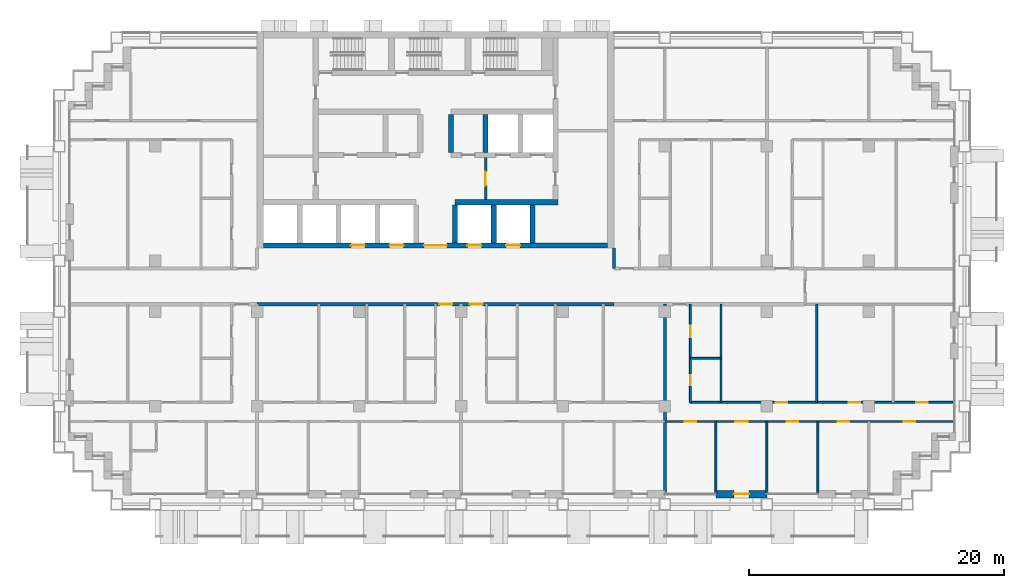
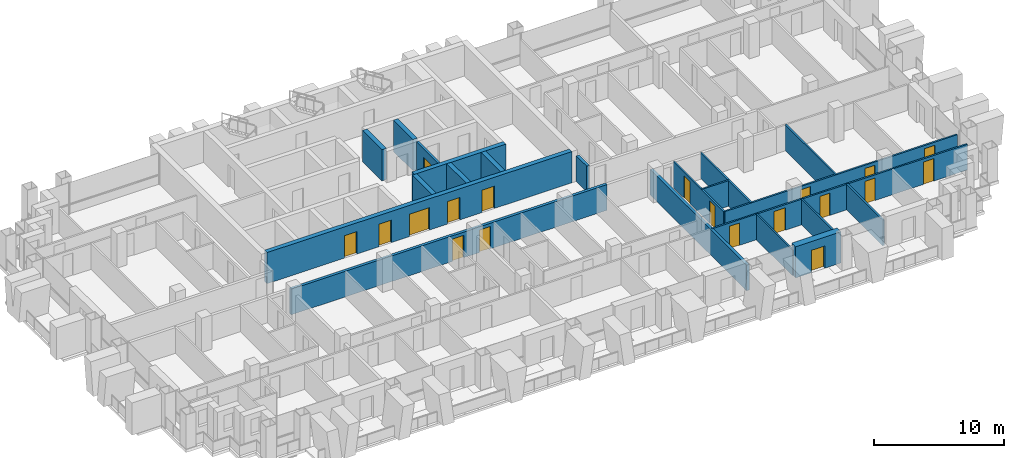
# One storey, part 11 of 18: 21 walls, 19 doors, 19 openings.
"""IFC4 building model written with IfcOpenShell, lengths in metres."""

from ifc_helpers import new_model, si_unit, direction, frame, frame_2d, origin, place, context, subcontext, project, spatial, rectangle, extrude, material, layer, layer_set, type_object, element, fill, save


model = new_model("IFC4")

# Units and contexts
model_context = context("Model", 3, precision=1e-05, world=origin(), true_north=direction((0.0, 1.0)))
body_context = subcontext(model_context, "Body", "Model", "MODEL_VIEW")
ifc_project = project(units=[si_unit("LENGTHUNIT", "METRE"), si_unit("AREAUNIT", "SQUARE_METRE"), si_unit("VOLUMEUNIT", "CUBIC_METRE"), si_unit("PLANEANGLEUNIT", "RADIAN"), si_unit("MASSUNIT", "GRAM", prefix="KILO")], contexts=[model_context])

# Site, building, storey
site_placement = place(None, origin())
site = spatial("IfcSite", under=ifc_project, at=site_placement, CompositionType="ELEMENT")
building_placement = place(site_placement, origin())
building = spatial("IfcBuilding", under=site, at=building_placement, Name="Vidyagriha Tower", CompositionType="ELEMENT")
storey_placement = place(building_placement, frame((0.0, 0.0, 93.5)))
storey = spatial("IfcBuildingStorey", under=building, at=storey_placement, Name="L24", CompositionType="ELEMENT", Elevation=93.5)

# Wall, opening, door
ifc_material_1 = material(Name="Precast concrete C40/50 with brick facing", Category="concrete")
ifc_layer_1 = layer(ifc_material_1, 0.60009765625)
ifc_layer_set_1 = layer_set([ifc_layer_1], Name="Precast concrete C40/50 with brick facing")
wall_type_1 = type_object("IfcWallType", Name="Brick-faced precast wall 600", PredefinedType="STANDARD", material=ifc_layer_set_1)
wall_1_placement = place(storey_placement, frame((22.0, -16.300048828125, 0.0)))
wall_1 = element("IfcWall", 1, at=wall_1_placement, inside=storey, type_object=wall_type_1, Name="Brick door bay wall L24 R23.13", PredefinedType="STANDARD", context=body_context, shape_type="SweptSolid", body=[
    extrude(rectangle(XDim=4.0, YDim=0.60009765625, at=frame_2d((2.0, 0.0))), origin(), (0.0, 0.0, 1.0), 2.919921875),
])
opening_1_placement = place(wall_1_placement, frame((1.39990234375, 0.0, 0.0)))
opening_1 = element("IfcOpeningElement", 2, at=opening_1_placement, cuts=wall_1, Name="Opening D24-80", PredefinedType="OPENING", context=body_context, shape_type="SweptSolid", body=[
    extrude(rectangle(XDim=1.199951171875, YDim=2.10009765625, at=frame_2d((0.60009765625, 1.050048828125))), frame((0.0, 0.31005859375, 0.0), z_axis=(0.0, -1.0, 0.0), x_axis=(1.0, 0.0, 0.0)), (0.0, 0.0, 1.0), 0.6201171875),
])
ifc_material_2 = material(Name="Aluminium framed glazed sliding door", Category="aluminium")
door_type_1 = type_object("IfcDoorType", Name="Balcony sliding door 1200x2100", OperationType="NOTDEFINED", PredefinedType="DOOR", material=ifc_material_2)
door_1_placement = place(opening_1_placement, origin())
door_1 = element("IfcDoor", 3, at=door_1_placement, inside=storey, type_object=door_type_1, Name="Door D24-80", OperationType="SLIDING_TO_LEFT", OverallHeight=2.10009765625, OverallWidth=1.199951171875, PredefinedType="DOOR", context=body_context, shape_type="SweptSolid", body=[
    extrude(rectangle(XDim=1.199951171875, YDim=2.10009765625, at=frame_2d((0.60009765625, 1.050048828125))), frame((0.0, 0.02490234375, 0.0), z_axis=(0.0, -1.0, 0.0), x_axis=(1.0, 0.0, 0.0)), (0.0, 0.0, 1.0), 0.050048828125),
])
fill(opening_1, door_1)

# Wall, openings, doors
ifc_material_3 = material(Name="Concrete C60/75", Category="concrete")
ifc_layer_2 = layer(ifc_material_3, 0.39990234375)
ifc_layer_set_2 = layer_set([ifc_layer_2], Name="Concrete C60/75")
wall_type_2 = type_object("IfcWallType", Name="Core shear wall 400 mm", PredefinedType="SHEAR", material=ifc_layer_set_2)
wall_2_placement = place(storey_placement, frame((-13.5, 3.199951171875, 0.0)))
wall_2 = element("IfcWall", 4, at=wall_2_placement, inside=storey, type_object=wall_type_2, Name="Core front wall", PredefinedType="SHEAR", context=body_context, shape_type="SweptSolid", body=[
    extrude(rectangle(XDim=27.0, YDim=0.39990234375, at=frame_2d((13.5, 0.0))), origin(), (0.0, 0.0, 1.0), 2.919921875),
])
opening_2_placement = place(wall_2_placement, frame((6.861083984375, 0.0, 0.0)))
opening_2 = element("IfcOpeningElement", 5, at=opening_2_placement, cuts=wall_2, Name="Opening LD24-01", PredefinedType="OPENING", context=body_context, shape_type="SweptSolid", body=[
    extrude(rectangle(XDim=1.10009765625, YDim=2.10009765625, at=frame_2d((0.550048828125, 1.050048828125))), frame((0.0, 0.2099609375, 0.0), z_axis=(0.0, -1.0, 0.0), x_axis=(1.0, 0.0, 0.0)), (0.0, 0.0, 1.0), 0.419921875),
])
opening_3_placement = place(wall_2_placement, frame((9.905517578125, 0.0, 0.0)))
opening_3 = element("IfcOpeningElement", 6, at=opening_3_placement, cuts=wall_2, Name="Opening LD24-02", PredefinedType="OPENING", context=body_context, shape_type="SweptSolid", body=[
    extrude(rectangle(XDim=1.10009765625, YDim=2.10009765625, at=frame_2d((0.550048828125, 1.050048828125))), frame((0.0, 0.2099609375, 0.0), z_axis=(0.0, -1.0, 0.0), x_axis=(1.0, 0.0, 0.0)), (0.0, 0.0, 1.0), 0.419921875),
])
opening_4_placement = place(wall_2_placement, frame((15.994384765625, 0.0, 0.0)))
opening_4 = element("IfcOpeningElement", 7, at=opening_4_placement, cuts=wall_2, Name="Opening LD24-03", PredefinedType="OPENING", context=body_context, shape_type="SweptSolid", body=[
    extrude(rectangle(XDim=1.10009765625, YDim=2.10009765625, at=frame_2d((0.550048828125, 1.050048828125))), frame((0.0, 0.2099609375, 0.0), z_axis=(0.0, -1.0, 0.0), x_axis=(1.0, 0.0, 0.0)), (0.0, 0.0, 1.0), 0.419921875),
])
opening_5_placement = place(wall_2_placement, frame((19.038818359375, 0.0, 0.0)))
opening_5 = element("IfcOpeningElement", 8, at=opening_5_placement, cuts=wall_2, Name="Opening LD24-04", PredefinedType="OPENING", context=body_context, shape_type="SweptSolid", body=[
    extrude(rectangle(XDim=1.10009765625, YDim=2.10009765625, at=frame_2d((0.550048828125, 1.050048828125))), frame((0.0, 0.2099609375, 0.0), z_axis=(0.0, -1.0, 0.0), x_axis=(1.0, 0.0, 0.0)), (0.0, 0.0, 1.0), 0.419921875),
])
opening_6_placement = place(wall_2_placement, frame((12.60009765625, 0.0, 0.0)))
opening_6 = element("IfcOpeningElement", 9, at=opening_6_placement, cuts=wall_2, Name="Opening D24-01", PredefinedType="OPENING", context=body_context, shape_type="SweptSolid", body=[
    extrude(rectangle(XDim=1.800048828125, YDim=2.10009765625, at=frame_2d((0.89990234375, 1.050048828125))), frame((0.0, 0.2099609375, 0.0), z_axis=(0.0, -1.0, 0.0), x_axis=(1.0, 0.0, 0.0)), (0.0, 0.0, 1.0), 0.419921875),
])
ifc_material_4 = material(Name="Hollow metal door leaf")
door_type_2 = type_object("IfcDoorType", Name="Core lobby double door 1800 x 2100 mm EI 60", OperationType="NOTDEFINED", PredefinedType="DOOR", material=ifc_material_4)
door_2_placement = place(opening_6_placement, frame((1.800048828125, 0.0, 0.0), z_axis=(0.0, 0.0, 1.0), x_axis=(-1.0, 0.0, 0.0)))
door_2 = element("IfcDoor", 10, at=door_2_placement, inside=storey, type_object=door_type_2, Name="Core entrance door L24", OperationType="DOUBLE_DOOR_SINGLE_SWING", OverallHeight=2.10009765625, OverallWidth=1.800048828125, PredefinedType="DOOR", context=body_context, shape_type="SweptSolid", body=[
    extrude(rectangle(XDim=1.800048828125, YDim=2.10009765625, at=frame_2d((0.89990234375, 1.050048828125))), frame((0.0, 0.02490234375, 0.0), z_axis=(0.0, -1.0, 0.0), x_axis=(1.0, 0.0, 0.0)), (0.0, 0.0, 1.0), 0.050048828125),
])
fill(opening_6, door_2)
ifc_material_5 = material(Name="Stainless steel sliding door panel", Category="steel")
door_type_3 = type_object("IfcDoorType", Name="Lift landing door 1100 x 2100 mm EI 90", OperationType="NOTDEFINED", PredefinedType="DOOR", material=ifc_material_5)
door_3_placement = place(opening_2_placement, origin())
door_3 = element("IfcDoor", 11, at=door_3_placement, inside=storey, type_object=door_type_3, Name="Landing door LR1 L24", OperationType="SLIDING_TO_LEFT", OverallHeight=2.10009765625, OverallWidth=1.10009765625, PredefinedType="DOOR", context=body_context, shape_type="SweptSolid", body=[
    extrude(rectangle(XDim=1.10009765625, YDim=2.10009765625, at=frame_2d((0.550048828125, 1.050048828125))), frame((0.0, 0.02490234375, 0.0), z_axis=(0.0, -1.0, 0.0), x_axis=(1.0, 0.0, 0.0)), (0.0, 0.0, 1.0), 0.050048828125),
])
fill(opening_2, door_3)
door_4_placement = place(opening_3_placement, origin())
door_4 = element("IfcDoor", 12, at=door_4_placement, inside=storey, type_object=door_type_3, Name="Landing door LR2 L24", OperationType="SLIDING_TO_LEFT", OverallHeight=2.10009765625, OverallWidth=1.10009765625, PredefinedType="DOOR", context=body_context, shape_type="SweptSolid", body=[
    extrude(rectangle(XDim=1.10009765625, YDim=2.10009765625, at=frame_2d((0.550048828125, 1.050048828125))), frame((0.0, 0.02490234375, 0.0), z_axis=(0.0, -1.0, 0.0), x_axis=(1.0, 0.0, 0.0)), (0.0, 0.0, 1.0), 0.050048828125),
])
fill(opening_3, door_4)
door_5_placement = place(opening_4_placement, origin())
door_5 = element("IfcDoor", 13, at=door_5_placement, inside=storey, type_object=door_type_3, Name="Landing door LR3 L24", OperationType="SLIDING_TO_LEFT", OverallHeight=2.10009765625, OverallWidth=1.10009765625, PredefinedType="DOOR", context=body_context, shape_type="SweptSolid", body=[
    extrude(rectangle(XDim=1.10009765625, YDim=2.10009765625, at=frame_2d((0.550048828125, 1.050048828125))), frame((0.0, 0.02490234375, 0.0), z_axis=(0.0, -1.0, 0.0), x_axis=(1.0, 0.0, 0.0)), (0.0, 0.0, 1.0), 0.050048828125),
])
fill(opening_4, door_5)
door_6_placement = place(opening_5_placement, origin())
door_6 = element("IfcDoor", 14, at=door_6_placement, inside=storey, type_object=door_type_3, Name="Landing door LR4 L24", OperationType="SLIDING_TO_LEFT", OverallHeight=2.10009765625, OverallWidth=1.10009765625, PredefinedType="DOOR", context=body_context, shape_type="SweptSolid", body=[
    extrude(rectangle(XDim=1.10009765625, YDim=2.10009765625, at=frame_2d((0.550048828125, 1.050048828125))), frame((0.0, 0.02490234375, 0.0), z_axis=(0.0, -1.0, 0.0), x_axis=(1.0, 0.0, 0.0)), (0.0, 0.0, 1.0), 0.050048828125),
])
fill(opening_5, door_6)

# Walls
wall_3_placement = place(storey_placement, frame((1.522216796875, 6.60009765625, 0.0)))
element("IfcWall", 15, at=wall_3_placement, inside=storey, type_object=wall_type_2, Name="Core lobby south wall east", PredefinedType="SHEAR", context=body_context, shape_type="SweptSolid", body=[
    extrude(rectangle(XDim=8.077880859375, YDim=0.39990234375, at=frame_2d((4.0390625, 0.0))), origin(), (0.0, 0.0, 1.0), 2.919921875),
])
for number, where, z_axis, x_axis, name in (
    (16, (1.522216796875, 3.39990234375, 0.0), (0.0, 0.0, 1.0), (0.0, 1.0, 0.0), "Core bay wall S5"),
    (17, (4.566650390625, 3.39990234375, 0.0), (0.0, 0.0, 1.0), (0.0, 1.0, 0.0), "Core bay wall S6"),
    (18, (7.611083984375, 3.39990234375, 0.0), (0.0, 0.0, 1.0), (0.0, 1.0, 0.0), "Core bay wall S7"),
    (19, (1.199951171875, 10.5, 0.0), (0.0, 0.0, 1.0), (0.0, 1.0, 0.0), "Core bay wall N4"),
    (20, (3.933349609375, 10.5, 0.0), (0.0, 0.0, 1.0), (0.0, 1.0, 0.0), "Core bay wall N5"),
):
    element("IfcWall", number, at=place(storey_placement, frame(where, z_axis=z_axis, x_axis=x_axis)), inside=storey, type_object=wall_type_2, Name=name, PredefinedType="SHEAR", context=body_context, shape_type="SweptSolid", body=[
        extrude(rectangle(XDim=3.0, YDim=0.39990234375, at=frame_2d((1.5, 0.0))), origin(), (0.0, 0.0, 1.0), 2.919921875),
    ])

# Wall, openings, doors
ifc_material_6 = material(Name="Fired clay brick masonry", Category="masonry")
ifc_layer_3 = layer(ifc_material_6, 0.25)
ifc_layer_set_3 = layer_set([ifc_layer_3], Name="Fired clay brick masonry")
wall_type_3 = type_object("IfcWallType", Name="Fired clay brick corridor wall 250", PredefinedType="PARTITIONING", material=ifc_layer_set_3)
wall_4_placement = place(storey_placement, frame((14.0, -1.39990234375, 0.0), z_axis=(0.0, 0.0, 1.0), x_axis=(-1.0, 0.0, 0.0)))
wall_4 = element("IfcWall", 21, at=wall_4_placement, inside=storey, type_object=wall_type_3, Name="Wall all-L24-w132", PredefinedType="PARTITIONING", context=body_context, shape_type="SweptSolid", body=[
    extrude(rectangle(XDim=28.0, YDim=0.25, at=frame_2d((14.0, 0.0))), origin(), (0.0, 0.0, 1.0), 2.39990234375),
])
opening_7_placement = place(wall_4_placement, frame((12.68896484375, 0.0, 0.0)))
opening_7 = element("IfcOpeningElement", 22, at=opening_7_placement, cuts=wall_4, Name="Opening D24-30", PredefinedType="OPENING", context=body_context, shape_type="SweptSolid", body=[
    extrude(rectangle(XDim=1.0, YDim=2.10009765625, at=frame_2d((0.5, 1.050048828125))), frame((0.0, 0.135009765625, 0.0), z_axis=(0.0, -1.0, 0.0), x_axis=(1.0, 0.0, 0.0)), (0.0, 0.0, 1.0), 0.27001953125),
])
opening_8_placement = place(wall_4_placement, frame((10.31103515625, 0.0, 0.0)))
opening_8 = element("IfcOpeningElement", 23, at=opening_8_placement, cuts=wall_4, Name="Opening D24-39", PredefinedType="OPENING", context=body_context, shape_type="SweptSolid", body=[
    extrude(rectangle(XDim=1.0, YDim=2.10009765625, at=frame_2d((0.5, 1.050048828125))), frame((0.0, 0.135009765625, 0.0), z_axis=(0.0, -1.0, 0.0), x_axis=(1.0, 0.0, 0.0)), (0.0, 0.0, 1.0), 0.27001953125),
])
ifc_material_7 = material(Name="Fire-rated timber door leaf EI 60", Category="wood")
door_type_4 = type_object("IfcDoorType", Name="Flat entrance fire door 1000x2100", OperationType="NOTDEFINED", PredefinedType="DOOR", material=ifc_material_7)
door_7_placement = place(opening_7_placement, origin())
door_7 = element("IfcDoor", 24, at=door_7_placement, inside=storey, type_object=door_type_4, Name="Door D24-30", OperationType="SINGLE_SWING_LEFT", OverallHeight=2.10009765625, OverallWidth=1.0, PredefinedType="DOOR", context=body_context, shape_type="SweptSolid", body=[
    extrude(rectangle(XDim=1.0, YDim=2.10009765625, at=frame_2d((0.5, 1.050048828125))), frame((0.0, 0.02490234375, 0.0), z_axis=(0.0, -1.0, 0.0), x_axis=(1.0, 0.0, 0.0)), (0.0, 0.0, 1.0), 0.050048828125),
])
fill(opening_7, door_7)
door_8_placement = place(opening_8_placement, origin())
door_8 = element("IfcDoor", 25, at=door_8_placement, inside=storey, type_object=door_type_4, Name="Door D24-39", OperationType="SINGLE_SWING_RIGHT", OverallHeight=2.10009765625, OverallWidth=1.0, PredefinedType="DOOR", context=body_context, shape_type="SweptSolid", body=[
    extrude(rectangle(XDim=1.0, YDim=2.10009765625, at=frame_2d((0.5, 1.050048828125))), frame((0.0, 0.02490234375, 0.0), z_axis=(0.0, -1.0, 0.0), x_axis=(1.0, 0.0, 0.0)), (0.0, 0.0, 1.0), 0.050048828125),
])
fill(opening_8, door_8)

# Walls
wall_5_placement = place(storey_placement, frame((14.0, 1.39990234375, 0.0), z_axis=(0.0, 0.0, 1.0), x_axis=(0.0, 1.0, 0.0)))
element("IfcWall", 26, at=wall_5_placement, inside=storey, type_object=wall_type_3, Name="Wall all-L24-w134", PredefinedType="PARTITIONING", context=body_context, shape_type="SweptSolid", body=[
    extrude(rectangle(XDim=1.60009765625, YDim=0.25, at=frame_2d((0.800048828125, 0.0))), origin(), (0.0, 0.0, 1.0), 2.39990234375),
])
ifc_material_8 = material(Name="Fired clay brick masonry", Category="masonry")
ifc_layer_4 = layer(ifc_material_8, 0.25)
ifc_layer_set_4 = layer_set([ifc_layer_4], Name="Fired clay brick masonry")
wall_type_4 = type_object("IfcWallType", Name="Fired clay brick demising wall 250", PredefinedType="PARTITIONING", material=ifc_layer_set_4)
wall_6_placement = place(storey_placement, frame((18.0, -1.39990234375, 0.0), z_axis=(0.0, 0.0, 1.0), x_axis=(0.0, -1.0, 0.0)))
element("IfcWall", 27, at=wall_6_placement, inside=storey, type_object=wall_type_4, Name="Wall all-L24-w080", PredefinedType="PARTITIONING", context=body_context, shape_type="SweptSolid", body=[
    extrude(rectangle(XDim=14.81005859375, YDim=0.25, at=frame_2d((7.405029296875, 0.0))), origin(), (0.0, 0.0, 1.0), 2.39990234375),
])
ifc_material_9 = material(Name="Gypsum board partition")
ifc_layer_5 = layer(ifc_material_9, 0.14990234375)
ifc_layer_set_5 = layer_set([ifc_layer_5], Name="Gypsum board partition")
wall_type_5 = type_object("IfcWallType", Name="Gypsum board partition 150", PredefinedType="PARTITIONING", material=ifc_layer_set_5)
wall_7_placement = place(storey_placement, frame((22.39990234375, -5.64990234375, 0.0), z_axis=(0.0, 0.0, 1.0), x_axis=(-1.0, 0.0, 0.0)))
element("IfcWall", 28, at=wall_7_placement, inside=storey, type_object=wall_type_5, Name="Wall all-L24-w061", PredefinedType="PARTITIONING", context=body_context, shape_type="SweptSolid", body=[
    extrude(rectangle(XDim=2.39990234375, YDim=0.14990234375, at=frame_2d((1.199951171875, 0.0))), origin(), (0.0, 0.0, 1.0), 2.39990234375),
])
for number, where, z_axis, x_axis, name in (
    (29, (22.39990234375, -1.39990234375, 0.0), (0.0, 0.0, 1.0), (0.0, -1.0, 0.0), "Wall all-L24-w062"),
    (30, (29.89990234375, -1.39990234375, 0.0), (0.0, 0.0, 1.0), (0.0, -1.0, 0.0), "Wall all-L24-w063"),
):
    element("IfcWall", number, at=place(storey_placement, frame(where, z_axis=z_axis, x_axis=x_axis)), inside=storey, type_object=wall_type_5, Name=name, PredefinedType="PARTITIONING", context=body_context, shape_type="SweptSolid", body=[
        extrude(rectangle(XDim=7.7001953125, YDim=0.14990234375, at=frame_2d((3.85009765625, 0.0))), origin(), (0.0, 0.0, 1.0), 2.39990234375),
    ])

# Wall, openings, doors
wall_8_placement = place(storey_placement, frame((20.0, -9.10009765625, 0.0)))
wall_8 = element("IfcWall", 31, at=wall_8_placement, inside=storey, type_object=wall_type_5, Name="Wall all-L24-w065", PredefinedType="PARTITIONING", context=body_context, shape_type="SweptSolid", body=[
    extrude(rectangle(XDim=20.6201171875, YDim=0.14990234375, at=frame_2d((10.31005859375, 0.0))), origin(), (0.0, 0.0, 1.0), 2.39990234375),
])
opening_9_placement = place(wall_8_placement, frame((6.68896484375, 0.0, 0.0)))
opening_9 = element("IfcOpeningElement", 32, at=opening_9_placement, cuts=wall_8, Name="Opening D24-42", PredefinedType="OPENING", context=body_context, shape_type="SweptSolid", body=[
    extrude(rectangle(XDim=0.89990234375, YDim=2.10009765625, at=frame_2d((0.449951171875, 1.050048828125))), frame((0.0, 0.0849609375, 0.0), z_axis=(0.0, -1.0, 0.0), x_axis=(1.0, 0.0, 0.0)), (0.0, 0.0, 1.0), 0.169921875),
])
opening_10_placement = place(wall_8_placement, frame((12.410888671875, 0.0, 0.0)))
opening_10 = element("IfcOpeningElement", 33, at=opening_10_placement, cuts=wall_8, Name="Opening D24-43", PredefinedType="OPENING", context=body_context, shape_type="SweptSolid", body=[
    extrude(rectangle(XDim=0.89990234375, YDim=2.10009765625, at=frame_2d((0.449951171875, 1.050048828125))), frame((0.0, 0.0849609375, 0.0), z_axis=(0.0, -1.0, 0.0), x_axis=(1.0, 0.0, 0.0)), (0.0, 0.0, 1.0), 0.169921875),
])
opening_11_placement = place(wall_8_placement, frame((17.699951171875, 0.0, 0.0)))
opening_11 = element("IfcOpeningElement", 34, at=opening_11_placement, cuts=wall_8, Name="Opening D24-44", PredefinedType="OPENING", context=body_context, shape_type="SweptSolid", body=[
    extrude(rectangle(XDim=0.89990234375, YDim=2.10009765625, at=frame_2d((0.449951171875, 1.050048828125))), frame((0.0, 0.0849609375, 0.0), z_axis=(0.0, -1.0, 0.0), x_axis=(1.0, 0.0, 0.0)), (0.0, 0.0, 1.0), 0.169921875),
])
ifc_material_10 = material(Name="Timber door leaf", Category="wood")
door_type_5 = type_object("IfcDoorType", Name="Room door 900x2100", OperationType="NOTDEFINED", PredefinedType="DOOR", material=ifc_material_10)
door_9_placement = place(opening_9_placement, origin())
door_9 = element("IfcDoor", 35, at=door_9_placement, inside=storey, type_object=door_type_5, Name="Door D24-42", OperationType="SINGLE_SWING_RIGHT", OverallHeight=2.10009765625, OverallWidth=0.89990234375, PredefinedType="DOOR", context=body_context, shape_type="SweptSolid", body=[
    extrude(rectangle(XDim=0.89990234375, YDim=2.10009765625, at=frame_2d((0.449951171875, 1.050048828125))), frame((0.0, 0.02490234375, 0.0), z_axis=(0.0, -1.0, 0.0), x_axis=(1.0, 0.0, 0.0)), (0.0, 0.0, 1.0), 0.050048828125),
])
fill(opening_9, door_9)
door_10_placement = place(opening_10_placement, origin())
door_10 = element("IfcDoor", 36, at=door_10_placement, inside=storey, type_object=door_type_5, Name="Door D24-43", OperationType="SINGLE_SWING_LEFT", OverallHeight=2.10009765625, OverallWidth=0.89990234375, PredefinedType="DOOR", context=body_context, shape_type="SweptSolid", body=[
    extrude(rectangle(XDim=0.89990234375, YDim=2.10009765625, at=frame_2d((0.449951171875, 1.050048828125))), frame((0.0, 0.02490234375, 0.0), z_axis=(0.0, -1.0, 0.0), x_axis=(1.0, 0.0, 0.0)), (0.0, 0.0, 1.0), 0.050048828125),
])
fill(opening_10, door_10)
door_11_placement = place(opening_11_placement, origin())
door_11 = element("IfcDoor", 37, at=door_11_placement, inside=storey, type_object=door_type_5, Name="Door D24-44", OperationType="SINGLE_SWING_RIGHT", OverallHeight=2.10009765625, OverallWidth=0.89990234375, PredefinedType="DOOR", context=body_context, shape_type="SweptSolid", body=[
    extrude(rectangle(XDim=0.89990234375, YDim=2.10009765625, at=frame_2d((0.449951171875, 1.050048828125))), frame((0.0, 0.02490234375, 0.0), z_axis=(0.0, -1.0, 0.0), x_axis=(1.0, 0.0, 0.0)), (0.0, 0.0, 1.0), 0.050048828125),
])
fill(opening_11, door_11)

wall_9_placement = place(storey_placement, frame((40.6201171875, -10.60009765625, 0.0), z_axis=(0.0, 0.0, 1.0), x_axis=(-1.0, 0.0, 0.0)))
wall_9 = element("IfcWall", 38, at=wall_9_placement, inside=storey, type_object=wall_type_5, Name="Wall all-L24-w069", PredefinedType="PARTITIONING", context=body_context, shape_type="SweptSolid", body=[
    extrude(rectangle(XDim=22.6201171875, YDim=0.14990234375, at=frame_2d((11.31005859375, 0.0))), origin(), (0.0, 0.0, 1.0), 2.39990234375),
])
opening_12_placement = place(wall_9_placement, frame((20.169921875, 0.0, 0.0)))
opening_12 = element("IfcOpeningElement", 39, at=opening_12_placement, cuts=wall_9, Name="Opening D24-45", PredefinedType="OPENING", context=body_context, shape_type="SweptSolid", body=[
    extrude(rectangle(XDim=0.89990234375, YDim=2.10009765625, at=frame_2d((0.449951171875, 1.050048828125))), frame((0.0, 0.0849609375, 0.0), z_axis=(0.0, -1.0, 0.0), x_axis=(1.0, 0.0, 0.0)), (0.0, 0.0, 1.0), 0.169921875),
])
opening_13_placement = place(wall_9_placement, frame((16.1201171875, 0.0, 0.0)))
opening_13 = element("IfcOpeningElement", 40, at=opening_13_placement, cuts=wall_9, Name="Opening D24-46", PredefinedType="OPENING", context=body_context, shape_type="SweptSolid", body=[
    extrude(rectangle(XDim=1.0, YDim=2.10009765625, at=frame_2d((0.5, 1.050048828125))), frame((0.0, 0.0849609375, 0.0), z_axis=(0.0, -1.0, 0.0), x_axis=(1.0, 0.0, 0.0)), (0.0, 0.0, 1.0), 0.169921875),
])
opening_14_placement = place(wall_9_placement, frame((12.169921875, 0.0, 0.0)))
opening_14 = element("IfcOpeningElement", 41, at=opening_14_placement, cuts=wall_9, Name="Opening D24-47", PredefinedType="OPENING", context=body_context, shape_type="SweptSolid", body=[
    extrude(rectangle(XDim=0.89990234375, YDim=2.10009765625, at=frame_2d((0.449951171875, 1.050048828125))), frame((0.0, 0.0849609375, 0.0), z_axis=(0.0, -1.0, 0.0), x_axis=(1.0, 0.0, 0.0)), (0.0, 0.0, 1.0), 0.169921875),
])
opening_15_placement = place(wall_9_placement, frame((8.169921875, 0.0, 0.0)))
opening_15 = element("IfcOpeningElement", 42, at=opening_15_placement, cuts=wall_9, Name="Opening D24-48", PredefinedType="OPENING", context=body_context, shape_type="SweptSolid", body=[
    extrude(rectangle(XDim=0.89990234375, YDim=2.10009765625, at=frame_2d((0.449951171875, 1.050048828125))), frame((0.0, 0.0849609375, 0.0), z_axis=(0.0, -1.0, 0.0), x_axis=(1.0, 0.0, 0.0)), (0.0, 0.0, 1.0), 0.169921875),
])
opening_16_placement = place(wall_9_placement, frame((2.969970703125, 0.0, 0.0)))
opening_16 = element("IfcOpeningElement", 43, at=opening_16_placement, cuts=wall_9, Name="Opening D24-49", PredefinedType="OPENING", context=body_context, shape_type="SweptSolid", body=[
    extrude(rectangle(XDim=0.89990234375, YDim=2.10009765625, at=frame_2d((0.449951171875, 1.050048828125))), frame((0.0, 0.0849609375, 0.0), z_axis=(0.0, -1.0, 0.0), x_axis=(1.0, 0.0, 0.0)), (0.0, 0.0, 1.0), 0.169921875),
])
ifc_material_11 = material(Name="Timber door leaf", Category="wood")
door_type_6 = type_object("IfcDoorType", Name="Room door 1000x2100", OperationType="NOTDEFINED", PredefinedType="DOOR", material=ifc_material_11)
door_12_placement = place(opening_13_placement, origin())
door_12 = element("IfcDoor", 44, at=door_12_placement, inside=storey, type_object=door_type_6, Name="Door D24-46", OperationType="SINGLE_SWING_RIGHT", OverallHeight=2.10009765625, OverallWidth=1.0, PredefinedType="DOOR", context=body_context, shape_type="SweptSolid", body=[
    extrude(rectangle(XDim=1.0, YDim=2.10009765625, at=frame_2d((0.5, 1.050048828125))), frame((0.0, 0.02490234375, 0.0), z_axis=(0.0, -1.0, 0.0), x_axis=(1.0, 0.0, 0.0)), (0.0, 0.0, 1.0), 0.050048828125),
])
fill(opening_13, door_12)
door_13_placement = place(opening_12_placement, origin())
door_13 = element("IfcDoor", 45, at=door_13_placement, inside=storey, type_object=door_type_5, Name="Door D24-45", OperationType="SINGLE_SWING_RIGHT", OverallHeight=2.10009765625, OverallWidth=0.89990234375, PredefinedType="DOOR", context=body_context, shape_type="SweptSolid", body=[
    extrude(rectangle(XDim=0.89990234375, YDim=2.10009765625, at=frame_2d((0.449951171875, 1.050048828125))), frame((0.0, 0.02490234375, 0.0), z_axis=(0.0, -1.0, 0.0), x_axis=(1.0, 0.0, 0.0)), (0.0, 0.0, 1.0), 0.050048828125),
])
fill(opening_12, door_13)
door_14_placement = place(opening_14_placement, origin())
door_14 = element("IfcDoor", 46, at=door_14_placement, inside=storey, type_object=door_type_5, Name="Door D24-47", OperationType="SINGLE_SWING_RIGHT", OverallHeight=2.10009765625, OverallWidth=0.89990234375, PredefinedType="DOOR", context=body_context, shape_type="SweptSolid", body=[
    extrude(rectangle(XDim=0.89990234375, YDim=2.10009765625, at=frame_2d((0.449951171875, 1.050048828125))), frame((0.0, 0.02490234375, 0.0), z_axis=(0.0, -1.0, 0.0), x_axis=(1.0, 0.0, 0.0)), (0.0, 0.0, 1.0), 0.050048828125),
])
fill(opening_14, door_14)
door_15_placement = place(opening_15_placement, origin())
door_15 = element("IfcDoor", 47, at=door_15_placement, inside=storey, type_object=door_type_5, Name="Door D24-48", OperationType="SINGLE_SWING_RIGHT", OverallHeight=2.10009765625, OverallWidth=0.89990234375, PredefinedType="DOOR", context=body_context, shape_type="SweptSolid", body=[
    extrude(rectangle(XDim=0.89990234375, YDim=2.10009765625, at=frame_2d((0.449951171875, 1.050048828125))), frame((0.0, 0.02490234375, 0.0), z_axis=(0.0, -1.0, 0.0), x_axis=(1.0, 0.0, 0.0)), (0.0, 0.0, 1.0), 0.050048828125),
])
fill(opening_15, door_15)
door_16_placement = place(opening_16_placement, origin())
door_16 = element("IfcDoor", 48, at=door_16_placement, inside=storey, type_object=door_type_5, Name="Door D24-49", OperationType="SINGLE_SWING_LEFT", OverallHeight=2.10009765625, OverallWidth=0.89990234375, PredefinedType="DOOR", context=body_context, shape_type="SweptSolid", body=[
    extrude(rectangle(XDim=0.89990234375, YDim=2.10009765625, at=frame_2d((0.449951171875, 1.050048828125))), frame((0.0, 0.02490234375, 0.0), z_axis=(0.0, -1.0, 0.0), x_axis=(1.0, 0.0, 0.0)), (0.0, 0.0, 1.0), 0.050048828125),
])
fill(opening_16, door_16)

# Walls
wall_10_placement = place(storey_placement, frame((22.0, -10.60009765625, 0.0), z_axis=(0.0, 0.0, 1.0), x_axis=(0.0, -1.0, 0.0)))
element("IfcWall", 49, at=wall_10_placement, inside=storey, type_object=wall_type_5, Name="Wall all-L24-w075", PredefinedType="PARTITIONING", context=body_context, shape_type="SweptSolid", body=[
    extrude(rectangle(XDim=5.620849609375, YDim=0.14990234375, at=frame_2d((2.810546875, 0.0))), origin(), (0.0, 0.0, 1.0), 2.39990234375),
])
wall_11_placement = place(storey_placement, frame((26.0, -10.60009765625, 0.0), z_axis=(0.0, 0.0, 1.0), x_axis=(0.0, -1.0, 0.0)))
element("IfcWall", 50, at=wall_11_placement, inside=storey, type_object=wall_type_5, Name="Wall all-L24-w076", PredefinedType="PARTITIONING", context=body_context, shape_type="SweptSolid", body=[
    extrude(rectangle(XDim=5.60986328125, YDim=0.14990234375, at=frame_2d((2.804931640625, 0.0))), origin(), (0.0, 0.0, 1.0), 2.39990234375),
])
wall_12_placement = place(storey_placement, frame((30.0, -10.60009765625, 0.0), z_axis=(0.0, 0.0, 1.0), x_axis=(0.0, -1.0, 0.0)))
element("IfcWall", 51, at=wall_12_placement, inside=storey, type_object=wall_type_5, Name="Wall all-L24-w077", PredefinedType="PARTITIONING", context=body_context, shape_type="SweptSolid", body=[
    extrude(rectangle(XDim=5.620849609375, YDim=0.14990234375, at=frame_2d((2.810546875, 0.0))), origin(), (0.0, 0.0, 1.0), 2.39990234375),
])

# Wall, openings, doors
ifc_material_12 = material(Name="Moisture resistant gypsum board partition")
ifc_layer_6 = layer(ifc_material_12, 0.14990234375)
ifc_layer_set_6 = layer_set([ifc_layer_6], Name="Moisture resistant gypsum board partition")
wall_type_6 = type_object("IfcWallType", Name="Gypsum board wet-area partition 150", PredefinedType="PARTITIONING", material=ifc_layer_set_6)
wall_13_placement = place(storey_placement, frame((20.0, -1.39990234375, 0.0), z_axis=(0.0, 0.0, 1.0), x_axis=(0.0, -1.0, 0.0)))
wall_13 = element("IfcWall", 52, at=wall_13_placement, inside=storey, type_object=wall_type_6, Name="Wall all-L24-w058", PredefinedType="PARTITIONING", context=body_context, shape_type="SweptSolid", body=[
    extrude(rectangle(XDim=7.7001953125, YDim=0.14990234375, at=frame_2d((3.85009765625, 0.0))), origin(), (0.0, 0.0, 1.0), 2.39990234375),
])
opening_17_placement = place(wall_13_placement, frame((1.675048828125, 0.0, 0.0)))
opening_17 = element("IfcOpeningElement", 53, at=opening_17_placement, cuts=wall_13, Name="Opening D24-40", PredefinedType="OPENING", context=body_context, shape_type="SweptSolid", body=[
    extrude(rectangle(XDim=0.89990234375, YDim=2.10009765625, at=frame_2d((0.449951171875, 1.050048828125))), frame((0.0, 0.0849609375, 0.0), z_axis=(0.0, -1.0, 0.0), x_axis=(1.0, 0.0, 0.0)), (0.0, 0.0, 1.0), 0.169921875),
])
opening_18_placement = place(wall_13_placement, frame((5.574951171875, 0.0, 0.0)))
opening_18 = element("IfcOpeningElement", 54, at=opening_18_placement, cuts=wall_13, Name="Opening D24-41", PredefinedType="OPENING", context=body_context, shape_type="SweptSolid", body=[
    extrude(rectangle(XDim=0.800048828125, YDim=2.10009765625, at=frame_2d((0.39990234375, 1.050048828125))), frame((0.0, 0.0849609375, 0.0), z_axis=(0.0, -1.0, 0.0), x_axis=(1.0, 0.0, 0.0)), (0.0, 0.0, 1.0), 0.169921875),
])
ifc_material_13 = material(Name="Timber door leaf", Category="wood")
door_type_7 = type_object("IfcDoorType", Name="Bathroom door 800x2100", OperationType="NOTDEFINED", PredefinedType="DOOR", material=ifc_material_13)
door_17_placement = place(opening_18_placement, origin())
door_17 = element("IfcDoor", 55, at=door_17_placement, inside=storey, type_object=door_type_7, Name="Door D24-41", OperationType="SINGLE_SWING_RIGHT", OverallHeight=2.10009765625, OverallWidth=0.800048828125, PredefinedType="DOOR", context=body_context, shape_type="SweptSolid", body=[
    extrude(rectangle(XDim=0.800048828125, YDim=2.10009765625, at=frame_2d((0.39990234375, 1.050048828125))), frame((0.0, 0.02490234375, 0.0), z_axis=(0.0, -1.0, 0.0), x_axis=(1.0, 0.0, 0.0)), (0.0, 0.0, 1.0), 0.050048828125),
])
fill(opening_18, door_17)
ifc_material_14 = material(Name="Timber door leaf", Category="wood")
door_type_8 = type_object("IfcDoorType", Name="Kitchen door 900x2100", OperationType="NOTDEFINED", PredefinedType="DOOR", material=ifc_material_14)
door_18_placement = place(opening_17_placement, origin())
door_18 = element("IfcDoor", 56, at=door_18_placement, inside=storey, type_object=door_type_8, Name="Door D24-40", OperationType="SINGLE_SWING_LEFT", OverallHeight=2.10009765625, OverallWidth=0.89990234375, PredefinedType="DOOR", context=body_context, shape_type="SweptSolid", body=[
    extrude(rectangle(XDim=0.89990234375, YDim=2.10009765625, at=frame_2d((0.449951171875, 1.050048828125))), frame((0.0, 0.02490234375, 0.0), z_axis=(0.0, -1.0, 0.0), x_axis=(1.0, 0.0, 0.0)), (0.0, 0.0, 1.0), 0.050048828125),
])
fill(opening_17, door_18)

# Wall, opening, door
ifc_material_15 = material(Name="Blockwork 15 MPa", Category="masonry")
ifc_layer_7 = layer(ifc_material_15, 0.199951171875)
ifc_layer_set_7 = layer_set([ifc_layer_7], Name="Blockwork 15 MPa")
wall_type_7 = type_object("IfcWallType", Name="Service room partition 200 mm", PredefinedType="PARTITIONING", material=ifc_layer_set_7)
wall_14_placement = place(storey_placement, frame((3.933349609375, 6.800048828125, 0.0), z_axis=(0.0, 0.0, 1.0), x_axis=(0.0, 1.0, 0.0)))
wall_14 = element("IfcWall", 57, at=wall_14_placement, inside=storey, type_object=wall_type_7, Name="Fire-fighting lobby west wall", PredefinedType="PARTITIONING", context=body_context, shape_type="SweptSolid", body=[
    extrude(rectangle(XDim=3.300048828125, YDim=0.199951171875, at=frame_2d((1.64990234375, 0.0))), origin(), (0.0, 0.0, 1.0), 2.919921875),
])
opening_19_placement = place(wall_14_placement, frame((1.10009765625, 0.0, 0.0)))
opening_19 = element("IfcOpeningElement", 58, at=opening_19_placement, cuts=wall_14, Name="Opening D24-05", PredefinedType="OPENING", context=body_context, shape_type="SweptSolid", body=[
    extrude(rectangle(XDim=1.10009765625, YDim=2.10009765625, at=frame_2d((0.550048828125, 1.050048828125))), frame((0.0, 0.10986328125, 0.0), z_axis=(0.0, -1.0, 0.0), x_axis=(1.0, 0.0, 0.0)), (0.0, 0.0, 1.0), 0.219970703125),
])
ifc_material_16 = material(Name="Hollow metal door leaf")
door_type_9 = type_object("IfcDoorType", Name="Fire-fighting lobby door 1100 x 2100 mm EI 90", OperationType="NOTDEFINED", PredefinedType="DOOR", material=ifc_material_16)
door_19_placement = place(opening_19_placement, origin())
door_19 = element("IfcDoor", 59, at=door_19_placement, inside=storey, type_object=door_type_9, Name="Fire-fighting lobby door L24", OperationType="SINGLE_SWING_RIGHT", OverallHeight=2.10009765625, OverallWidth=1.10009765625, PredefinedType="DOOR", context=body_context, shape_type="SweptSolid", body=[
    extrude(rectangle(XDim=1.10009765625, YDim=2.10009765625, at=frame_2d((0.550048828125, 1.050048828125))), frame((0.0, 0.02490234375, 0.0), z_axis=(0.0, -1.0, 0.0), x_axis=(1.0, 0.0, 0.0)), (0.0, 0.0, 1.0), 0.050048828125),
])
fill(opening_19, door_19)

save(model, "model.ifc")
